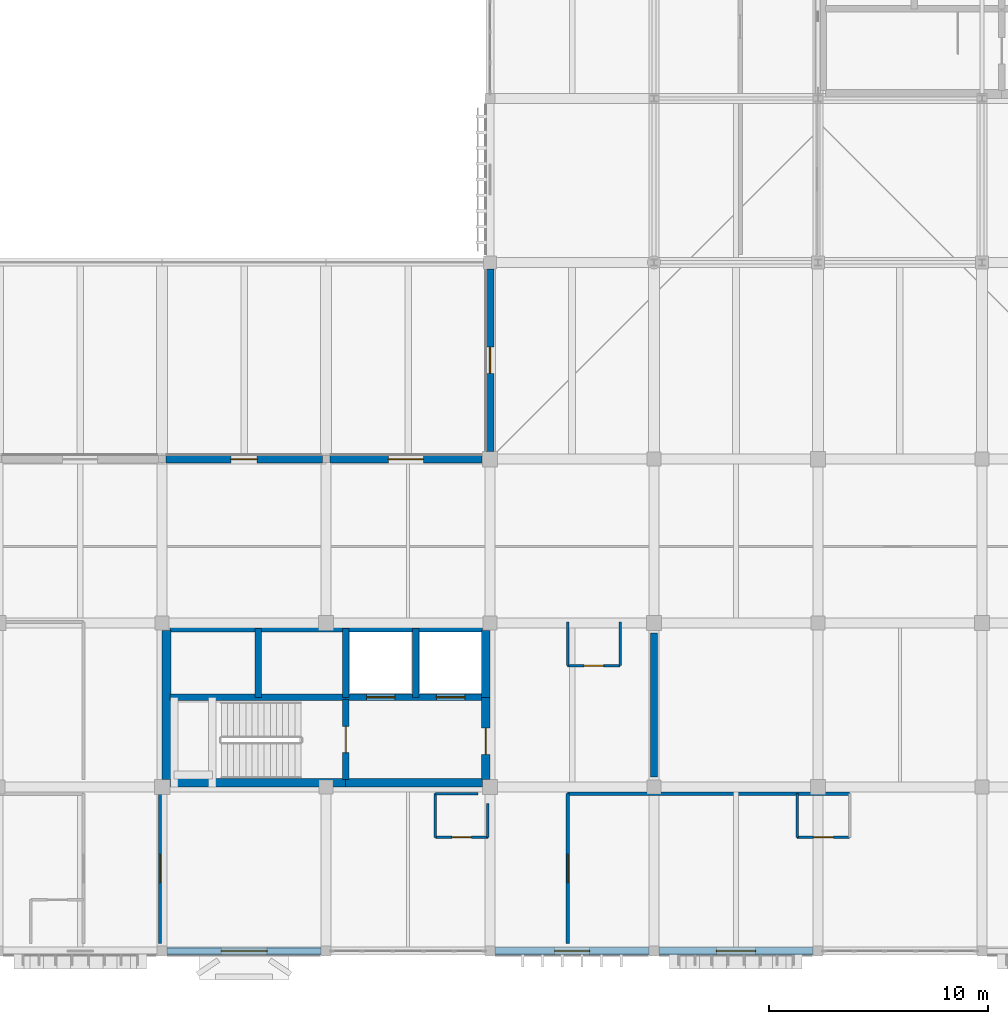
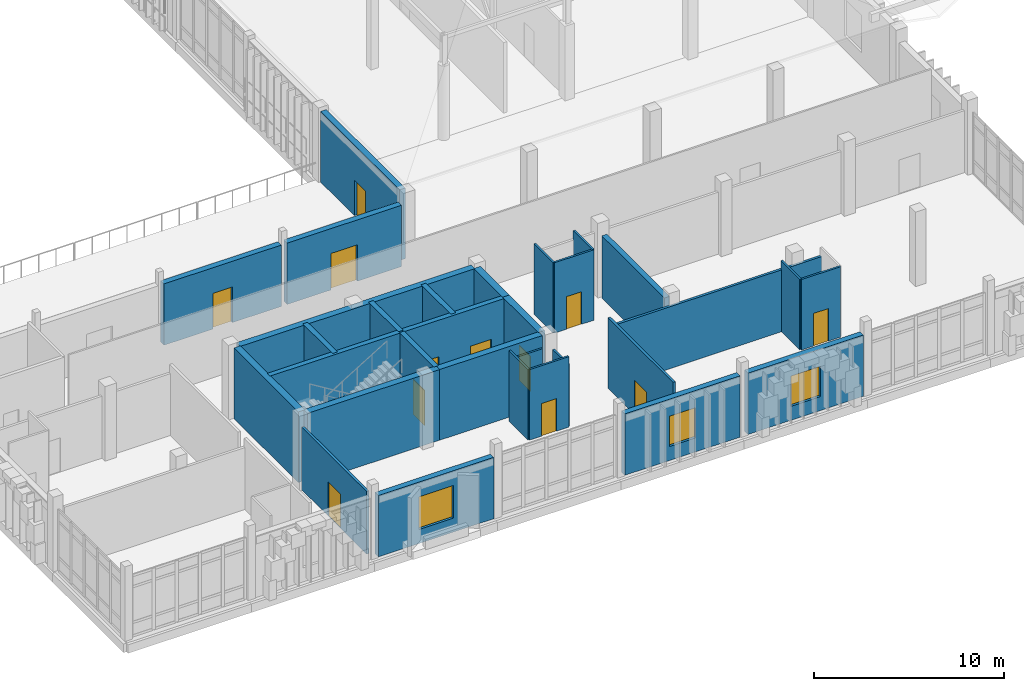
# One storey, part 107 of 131: 31 walls, 12 doors, 3 windows, 15 openings.
"""IFC4 building model written with IfcOpenShell, lengths in metres."""

from ifc_helpers import new_model, si_unit, direction, frame, frame_2d, origin, place, context, subcontext, project, spatial, rectangle, extrude, material, layer, layer_set, type_object, element, fill, save


model = new_model("IFC4")

# Units and contexts
model_context = context("Model", 3, precision=1e-05, world=origin(), true_north=direction((0.0, 1.0)))
body_context = subcontext(model_context, "Body", "Model", "MODEL_VIEW")
ifc_project = project(units=[si_unit("LENGTHUNIT", "METRE"), si_unit("AREAUNIT", "SQUARE_METRE"), si_unit("VOLUMEUNIT", "CUBIC_METRE"), si_unit("PLANEANGLEUNIT", "RADIAN"), si_unit("MASSUNIT", "GRAM", prefix="KILO")], contexts=[model_context])

# Site, building, storey
site_placement = place(None, origin())
site = spatial("IfcSite", under=ifc_project, at=site_placement, CompositionType="ELEMENT")
building_placement = place(site_placement, origin())
building = spatial("IfcBuilding", under=site, at=building_placement, Name="Dalvernix Boulevard General Hospital", CompositionType="ELEMENT")
storey_placement = place(building_placement, frame((0.0, 0.0, 9.300048828125)))
storey = spatial("IfcBuildingStorey", under=building, at=storey_placement, Name="L02", CompositionType="ELEMENT", Elevation=9.300048828125)

# Walls
ifc_material_1 = material(Name="Concrete C40/50", Category="concrete")
ifc_layer_1 = layer(ifc_material_1, 0.39990234375)
ifc_layer_set_1 = layer_set([ifc_layer_1], Name="Concrete C40/50 (WAL-CSW-01)")
wall_type_1 = type_object("IfcWallType", Name="WAL-CSW-01", PredefinedType="SHEAR", material=ifc_layer_set_1)
wall_1_placement = place(storey_placement, frame((127.85009765625, 7.699951171875, 0.0), z_axis=(0.0, 0.0, 1.0), x_axis=(1.0, 0.0, 0.0)))
element("IfcWall", 1, at=wall_1_placement, inside=storey, type_object=wall_type_1, Name="L02 C5 south stairwell wall", PredefinedType="SHEAR", context=body_context, shape_type="SweptSolid", body=[
    extrude(rectangle(XDim=8.0498046875, YDim=0.39990234375, at=frame_2d((4.02490234375, 0.0))), origin(), (0.0, 0.0, 1.0), 4.550048828125),
])
wall_2_placement = place(storey_placement, frame((135.89990234375, 7.699951171875, 0.0), z_axis=(0.0, 0.0, 1.0), x_axis=(1.0, 0.0, 0.0)))
element("IfcWall", 2, at=wall_2_placement, inside=storey, type_object=wall_type_1, Name="L02 C5 south firefighting lobby wall", PredefinedType="SHEAR", context=body_context, shape_type="SweptSolid", body=[
    extrude(rectangle(XDim=6.25, YDim=0.39990234375, at=frame_2d((3.125, 0.0))), origin(), (0.0, 0.0, 1.0), 4.550048828125),
])
wall_3_placement = place(storey_placement, frame((127.85009765625, 14.800048828125, 0.0), z_axis=(0.0, 0.0, 1.0), x_axis=(1.0, 0.0, 0.0)))
element("IfcWall", 3, at=wall_3_placement, inside=storey, type_object=wall_type_1, Name="L02 C5 north shaft core wall", PredefinedType="SHEAR", context=body_context, shape_type="SweptSolid", body=[
    extrude(rectangle(XDim=14.2998046875, YDim=0.39990234375, at=frame_2d((7.14990234375, 0.0))), origin(), (0.0, 0.0, 1.0), 4.550048828125),
])
wall_4_placement = place(storey_placement, frame((127.699951171875, 7.85009765625, 0.0), z_axis=(0.0, 0.0, 1.0), x_axis=(0.0, 1.0, 0.0)))
element("IfcWall", 4, at=wall_4_placement, inside=storey, type_object=wall_type_1, Name="L02 C5 west core wall", PredefinedType="SHEAR", context=body_context, shape_type="SweptSolid", body=[
    extrude(rectangle(XDim=6.7998046875, YDim=0.39990234375, at=frame_2d((3.39990234375, 0.0))), origin(), (0.0, 0.0, 1.0), 4.550048828125),
])

# Wall, opening, door
wall_5_placement = place(storey_placement, frame((142.300048828125, 7.85009765625, 0.0), z_axis=(0.0, 0.0, 1.0), x_axis=(0.0, 1.0, 0.0)))
wall_5 = element("IfcWall", 5, at=wall_5_placement, inside=storey, type_object=wall_type_1, Name="L02 C5 east lobby core wall", PredefinedType="SHEAR", context=body_context, shape_type="SweptSolid", body=[
    extrude(rectangle(XDim=3.75, YDim=0.39990234375, at=frame_2d((1.875, 0.0))), origin(), (0.0, 0.0, 1.0), 4.550048828125),
])
opening_1_placement = place(wall_5_placement, frame((1.14990234375, 0.0, 0.0)))
opening_1 = element("IfcOpeningElement", 6, at=opening_1_placement, cuts=wall_5, Name="Opening FD-02", PredefinedType="OPENING", context=body_context, shape_type="SweptSolid", body=[
    extrude(rectangle(XDim=1.199951171875, YDim=2.25, at=frame_2d((0.60009765625, 1.125))), frame((0.0, 0.2099609375, 0.0), z_axis=(0.0, -1.0, 0.0), x_axis=(1.0, 0.0, 0.0)), (0.0, 0.0, 1.0), 0.419921875),
])
ifc_material_2 = material(Name="Hospital laminate acoustic timber and steel frame", Category="steel")
door_type_1 = type_object("IfcDoorType", Name="DR-FD-02", OperationType="NOTDEFINED", PredefinedType="DOOR", material=ifc_material_2)
door_1_placement = place(opening_1_placement, origin())
door_1 = element("IfcDoor", 7, at=door_1_placement, inside=storey, type_object=door_type_1, Name="L02 C5 east lobby fire door", OperationType="SINGLE_SWING_LEFT", OverallHeight=2.25, OverallWidth=1.199951171875, PredefinedType="DOOR", context=body_context, shape_type="SweptSolid", body=[
    extrude(rectangle(XDim=1.199951171875, YDim=2.25, at=frame_2d((0.60009765625, 1.125))), frame((0.0, 0.02490234375, 0.0), z_axis=(0.0, -1.0, 0.0), x_axis=(1.0, 0.0, 0.0)), (0.0, 0.0, 1.0), 0.050048828125),
])
fill(opening_1, door_1)

# Walls
wall_6_placement = place(storey_placement, frame((142.300048828125, 11.60009765625, 0.0), z_axis=(0.0, 0.0, 1.0), x_axis=(0.0, 1.0, 0.0)))
element("IfcWall", 8, at=wall_6_placement, inside=storey, type_object=wall_type_1, Name="L02 C5 east shaft core wall", PredefinedType="SHEAR", context=body_context, shape_type="SweptSolid", body=[
    extrude(rectangle(XDim=3.0498046875, YDim=0.39990234375, at=frame_2d((1.52490234375, 0.0))), origin(), (0.0, 0.0, 1.0), 4.550048828125),
])
ifc_layer_2 = layer(ifc_material_1, 0.300048828125)
ifc_layer_set_2 = layer_set([ifc_layer_2], Name="Concrete C40/50 (WAL-CSW-02)")
wall_type_2 = type_object("IfcWallType", Name="WAL-CSW-02", PredefinedType="SHEAR", material=ifc_layer_set_2)
wall_7_placement = place(storey_placement, frame((127.85009765625, 11.60009765625, 0.0), z_axis=(0.0, 0.0, 1.0), x_axis=(1.0, 0.0, 0.0)))
element("IfcWall", 9, at=wall_7_placement, inside=storey, type_object=wall_type_2, Name="L02 C5 riser spine wall", PredefinedType="SHEAR", context=body_context, shape_type="SweptSolid", body=[
    extrude(rectangle(XDim=8.0498046875, YDim=0.300048828125, at=frame_2d((4.02490234375, 0.0))), origin(), (0.0, 0.0, 1.0), 4.550048828125),
])

# Wall, openings, doors
wall_8_placement = place(storey_placement, frame((135.89990234375, 11.60009765625, 0.0), z_axis=(0.0, 0.0, 1.0), x_axis=(1.0, 0.0, 0.0)))
wall_8 = element("IfcWall", 10, at=wall_8_placement, inside=storey, type_object=wall_type_2, Name="L02 C5 lift shaft front wall", PredefinedType="SHEAR", context=body_context, shape_type="SweptSolid", body=[
    extrude(rectangle(XDim=6.25, YDim=0.300048828125, at=frame_2d((3.125, 0.0))), origin(), (0.0, 0.0, 1.0), 4.550048828125),
])
opening_2_placement = place(wall_8_placement, frame((0.949951171875, 0.0, 0.0)))
opening_2 = element("IfcOpeningElement", 11, at=opening_2_placement, cuts=wall_8, Name="Opening LD-LF-04-L02", PredefinedType="OPENING", context=body_context, shape_type="SweptSolid", body=[
    extrude(rectangle(XDim=1.300048828125, YDim=2.199951171875, at=frame_2d((0.64990234375, 1.10009765625))), frame((0.0, 0.159912109375, 0.0), z_axis=(0.0, -1.0, 0.0), x_axis=(1.0, 0.0, 0.0)), (0.0, 0.0, 1.0), 0.320068359375),
])
opening_3_placement = place(wall_8_placement, frame((4.14990234375, 0.0, 0.0)))
opening_3 = element("IfcOpeningElement", 12, at=opening_3_placement, cuts=wall_8, Name="Opening LD-LF-05-L02", PredefinedType="OPENING", context=body_context, shape_type="SweptSolid", body=[
    extrude(rectangle(XDim=1.300048828125, YDim=2.199951171875, at=frame_2d((0.64990234375, 1.10009765625))), frame((0.0, 0.159912109375, 0.0), z_axis=(0.0, -1.0, 0.0), x_axis=(1.0, 0.0, 0.0)), (0.0, 0.0, 1.0), 0.320068359375),
])
ifc_material_3 = material(Name="Stainless-clad steel", Category="steel")
door_type_2 = type_object("IfcDoorType", Name="DR-LD-02", OperationType="DOUBLE_DOOR_SLIDING", PredefinedType="DOOR", material=ifc_material_3)
door_2_placement = place(opening_2_placement, origin())
door_2 = element("IfcDoor", 13, at=door_2_placement, inside=storey, type_object=door_type_2, Name="L02 Lift LF-04 sliding landing door", OperationType="DOUBLE_DOOR_SLIDING", OverallHeight=2.199951171875, OverallWidth=1.300048828125, PredefinedType="DOOR", context=body_context, shape_type="SweptSolid", body=[
    extrude(rectangle(XDim=1.300048828125, YDim=2.199951171875, at=frame_2d((0.64990234375, 1.10009765625))), frame((0.0, 0.02490234375, 0.0), z_axis=(0.0, -1.0, 0.0), x_axis=(1.0, 0.0, 0.0)), (0.0, 0.0, 1.0), 0.050048828125),
])
fill(opening_2, door_2)
door_3_placement = place(opening_3_placement, origin())
door_3 = element("IfcDoor", 14, at=door_3_placement, inside=storey, type_object=door_type_2, Name="L02 Lift LF-05 sliding landing door", OperationType="DOUBLE_DOOR_SLIDING", OverallHeight=2.199951171875, OverallWidth=1.300048828125, PredefinedType="DOOR", context=body_context, shape_type="SweptSolid", body=[
    extrude(rectangle(XDim=1.300048828125, YDim=2.199951171875, at=frame_2d((0.64990234375, 1.10009765625))), frame((0.0, 0.02490234375, 0.0), z_axis=(0.0, -1.0, 0.0), x_axis=(1.0, 0.0, 0.0)), (0.0, 0.0, 1.0), 0.050048828125),
])
fill(opening_3, door_3)

# Wall, opening, door
wall_9_placement = place(storey_placement, frame((135.89990234375, 11.5, 0.0), z_axis=(0.0, 0.0, 1.0), x_axis=(0.0, -1.0, 0.0)))
wall_9 = element("IfcWall", 15, at=wall_9_placement, inside=storey, type_object=wall_type_2, Name="L02 C5 stairwell fire wall", PredefinedType="SHEAR", context=body_context, shape_type="SweptSolid", body=[
    extrude(rectangle(XDim=3.64990234375, YDim=0.300048828125, at=frame_2d((1.824951171875, 0.0))), origin(), (0.0, 0.0, 1.0), 4.550048828125),
])
opening_4_placement = place(wall_9_placement, frame((1.219970703125, 0.0, 0.0)))
opening_4 = element("IfcOpeningElement", 16, at=opening_4_placement, cuts=wall_9, Name="Opening FD-02", PredefinedType="OPENING", context=body_context, shape_type="SweptSolid", body=[
    extrude(rectangle(XDim=1.199951171875, YDim=2.25, at=frame_2d((0.60009765625, 1.125))), frame((0.0, 0.159912109375, 0.0), z_axis=(0.0, -1.0, 0.0), x_axis=(1.0, 0.0, 0.0)), (0.0, 0.0, 1.0), 0.320068359375),
])
door_4_placement = place(opening_4_placement, origin())
door_4 = element("IfcDoor", 17, at=door_4_placement, inside=storey, type_object=door_type_1, Name="L02 Stair ST-05 fire door", OperationType="SINGLE_SWING_RIGHT", OverallHeight=2.25, OverallWidth=1.199951171875, PredefinedType="DOOR", context=body_context, shape_type="SweptSolid", body=[
    extrude(rectangle(XDim=1.199951171875, YDim=2.25, at=frame_2d((0.60009765625, 1.125))), frame((0.0, 0.02490234375, 0.0), z_axis=(0.0, -1.0, 0.0), x_axis=(1.0, 0.0, 0.0)), (0.0, 0.0, 1.0), 0.050048828125),
])
fill(opening_4, door_4)

# Walls
for number, where, z_axis, x_axis, name in (
    (18, (131.89990234375, 11.60009765625, 0.0), (0.0, 0.0, 1.0), (0.0, 1.0, 0.0), "L02 C5 shaft divider R1"),
    (19, (135.89990234375, 11.60009765625, 0.0), (0.0, 0.0, 1.0), (0.0, 1.0, 0.0), "L02 C5 shaft divider R2"),
    (20, (139.10009765625, 11.60009765625, 0.0), (0.0, 0.0, 1.0), (0.0, 1.0, 0.0), "L02 C5 shaft divider L1"),
):
    element("IfcWall", number, at=place(storey_placement, frame(where, z_axis=z_axis, x_axis=x_axis)), inside=storey, type_object=wall_type_2, Name=name, PredefinedType="SHEAR", context=body_context, shape_type="SweptSolid", body=[
        extrude(rectangle(XDim=3.14990234375, YDim=0.300048828125, at=frame_2d((1.574951171875, 0.0))), origin(), (0.0, 0.0, 1.0), 4.550048828125),
    ])
ifc_layer_3 = layer(ifc_material_1, 0.320068359375)
ifc_layer_set_3 = layer_set([ifc_layer_3], Name="Concrete C40/50 (WAL-ESW-02)")
wall_type_3 = type_object("IfcWallType", Name="WAL-ESW-02", PredefinedType="SHEAR", material=ifc_layer_set_3)
wall_10_placement = place(storey_placement, frame((150.0, 7.949951171875, 0.0), z_axis=(0.0, 0.0, 1.0), x_axis=(0.0, 1.0, 0.0)))
element("IfcWall", 21, at=wall_10_placement, inside=storey, type_object=wall_type_3, Name="L02 reinforced concrete shear wall 3", PredefinedType="SHEAR", context=body_context, shape_type="SweptSolid", body=[
    extrude(rectangle(XDim=6.60009765625, YDim=0.320068359375, at=frame_2d((3.300048828125, 0.0))), origin(), (0.0, 0.0, 1.0), 4.0),
])

# Wall, opening, window
ifc_material_4 = material(Name="Pressed Catalan clay brick and insulated concrete cavity wall C35/45", Category="masonry")
ifc_layer_4 = layer(ifc_material_4, 0.35009765625)
ifc_layer_set_4 = layer_set([ifc_layer_4], Name="Pressed Catalan clay brick and insulated concrete cavity wall C35/45 (WAL-EW-01)")
wall_type_4 = type_object("IfcWallType", Name="WAL-EW-01", PredefinedType="STANDARD", material=ifc_layer_set_4)
wall_11_placement = place(storey_placement, frame((134.764892578125, 0.0, 0.0), z_axis=(0.0, 0.0, 1.0), x_axis=(-1.0, 0.0, 0.0)))
wall_11 = element("IfcWall", 22, at=wall_11_placement, inside=storey, type_object=wall_type_4, Name="L02 Catalan brick external wall S 17-0", PredefinedType="STANDARD", context=body_context, shape_type="SweptSolid", body=[
    extrude(rectangle(XDim=7.02978515625, YDim=0.35009765625, at=frame_2d((3.514892578125, 0.0))), origin(), (0.0, 0.0, 1.0), 3.949951171875),
])
opening_5_placement = place(wall_11_placement, frame((2.465087890625, 0.0, 0.89990234375)))
opening_5 = element("IfcOpeningElement", 23, at=opening_5_placement, cuts=wall_11, Name="Opening WN-08", PredefinedType="OPENING", context=body_context, shape_type="SweptSolid", body=[
    extrude(rectangle(XDim=2.10009765625, YDim=2.10009765625, at=frame_2d((1.050048828125, 1.050048828125))), frame((0.0, 0.18505859375, 0.0), z_axis=(0.0, -1.0, 0.0), x_axis=(1.0, 0.0, 0.0)), (0.0, 0.0, 1.0), 0.3701171875),
])
ifc_material_5 = material(Name="Thermally broken aluminium frame with solar-control double glazing", Category="aluminium")
window_type_1 = type_object("IfcWindowType", Name="WIN-WN-08", PartitioningType="SINGLE_PANEL", PredefinedType="WINDOW", material=ifc_material_5)
window_1_placement = place(opening_5_placement, origin())
window_1 = element("IfcWindow", 24, at=window_1_placement, inside=storey, type_object=window_type_1, Name="L02 clinical window WN-08 S 17-0", OverallHeight=2.10009765625, OverallWidth=2.10009765625, PartitioningType="SINGLE_PANEL", PredefinedType="WINDOW", context=body_context, shape_type="SweptSolid", body=[
    extrude(rectangle(XDim=2.10009765625, YDim=2.10009765625, at=frame_2d((1.050048828125, 1.050048828125))), frame((0.0, 0.030029296875, 0.0), z_axis=(0.0, -1.0, 0.0), x_axis=(1.0, 0.0, 0.0)), (0.0, 0.0, 1.0), 0.06005859375),
])
fill(opening_5, window_1)

# Wall, opening, door
wall_12_placement = place(storey_placement, frame((127.669921875, 22.5, 0.0), z_axis=(0.0, 0.0, 1.0), x_axis=(1.0, 0.0, 0.0)))
wall_12 = element("IfcWall", 25, at=wall_12_placement, inside=storey, type_object=wall_type_4, Name="L02 Catalan brick external wall N 17-3", PredefinedType="STANDARD", context=body_context, shape_type="SweptSolid", body=[
    extrude(rectangle(XDim=7.16015625, YDim=0.35009765625, at=frame_2d((3.580078125, 0.0))), origin(), (0.0, 0.0, 1.0), 3.949951171875),
])
opening_6_placement = place(wall_12_placement, frame((2.97998046875, 0.0, 0.0)))
opening_6 = element("IfcOpeningElement", 26, at=opening_6_placement, cuts=wall_12, Name="Opening TD-12", PredefinedType="OPENING", context=body_context, shape_type="SweptSolid", body=[
    extrude(rectangle(XDim=1.199951171875, YDim=2.300048828125, at=frame_2d((0.60009765625, 1.14990234375))), frame((0.0, 0.18505859375, 0.0), z_axis=(0.0, -1.0, 0.0), x_axis=(1.0, 0.0, 0.0)), (0.0, 0.0, 1.0), 0.3701171875),
])
ifc_material_6 = material(Name="Powder-coated aluminium and laminated safety glass", Category="aluminium")
door_type_3 = type_object("IfcDoorType", Name="DR-TD-12", OperationType="NOTDEFINED", PredefinedType="DOOR", material=ifc_material_6)
door_5_placement = place(opening_6_placement, origin())
door_5 = element("IfcDoor", 27, at=door_5_placement, inside=storey, type_object=door_type_3, Name="L02 ward terrace access door N 17-3", OperationType="SINGLE_SWING_RIGHT", OverallHeight=2.300048828125, OverallWidth=1.199951171875, PredefinedType="DOOR", context=body_context, shape_type="SweptSolid", body=[
    extrude(rectangle(XDim=1.199951171875, YDim=2.300048828125, at=frame_2d((0.60009765625, 1.14990234375))), frame((0.0, 0.02490234375, 0.0), z_axis=(0.0, -1.0, 0.0), x_axis=(1.0, 0.0, 0.0)), (0.0, 0.0, 1.0), 0.050048828125),
])
fill(opening_6, door_5)

wall_13_placement = place(storey_placement, frame((135.169921875, 22.5, 0.0), z_axis=(0.0, 0.0, 1.0), x_axis=(1.0, 0.0, 0.0)))
wall_13 = element("IfcWall", 28, at=wall_13_placement, inside=storey, type_object=wall_type_4, Name="L02 Catalan brick external wall N 18-3", PredefinedType="STANDARD", context=body_context, shape_type="SweptSolid", body=[
    extrude(rectangle(XDim=6.969970703125, YDim=0.35009765625, at=frame_2d((3.48486328125, 0.0))), origin(), (0.0, 0.0, 1.0), 3.949951171875),
])
opening_7_placement = place(wall_13_placement, frame((2.68505859375, 0.0, 0.0)))
opening_7 = element("IfcOpeningElement", 29, at=opening_7_placement, cuts=wall_13, Name="Opening TD-16", PredefinedType="OPENING", context=body_context, shape_type="SweptSolid", body=[
    extrude(rectangle(XDim=1.60009765625, YDim=2.35009765625, at=frame_2d((0.800048828125, 1.175048828125))), frame((0.0, 0.18505859375, 0.0), z_axis=(0.0, -1.0, 0.0), x_axis=(1.0, 0.0, 0.0)), (0.0, 0.0, 1.0), 0.3701171875),
])
door_type_4 = type_object("IfcDoorType", Name="DR-TD-16", OperationType="DOUBLE_DOOR_SINGLE_SWING", PredefinedType="DOOR", material=ifc_material_6)
door_6_placement = place(opening_7_placement, origin())
door_6 = element("IfcDoor", 30, at=door_6_placement, inside=storey, type_object=door_type_4, Name="L02 ward terrace access door N 18-3", OperationType="DOUBLE_DOOR_SINGLE_SWING", OverallHeight=2.35009765625, OverallWidth=1.60009765625, PredefinedType="DOOR", context=body_context, shape_type="SweptSolid", body=[
    extrude(rectangle(XDim=1.60009765625, YDim=2.35009765625, at=frame_2d((0.800048828125, 1.175048828125))), frame((0.0, 0.02490234375, 0.0), z_axis=(0.0, -1.0, 0.0), x_axis=(1.0, 0.0, 0.0)), (0.0, 0.0, 1.0), 0.050048828125),
])
fill(opening_7, door_6)

# Wall, opening, window
wall_14_placement = place(storey_placement, frame((149.764892578125, 0.0, 0.0), z_axis=(0.0, 0.0, 1.0), x_axis=(-1.0, 0.0, 0.0)))
wall_14 = element("IfcWall", 31, at=wall_14_placement, inside=storey, type_object=wall_type_4, Name="L02 Catalan brick external wall S 19-0", PredefinedType="STANDARD", context=body_context, shape_type="SweptSolid", body=[
    extrude(rectangle(XDim=7.02978515625, YDim=0.35009765625, at=frame_2d((3.514892578125, 0.0))), origin(), (0.0, 0.0, 1.0), 3.949951171875),
])
opening_8_placement = place(wall_14_placement, frame((2.715087890625, 0.0, 0.89990234375)))
opening_8 = element("IfcOpeningElement", 32, at=opening_8_placement, cuts=wall_14, Name="Opening WN-10", PredefinedType="OPENING", context=body_context, shape_type="SweptSolid", body=[
    extrude(rectangle(XDim=1.60009765625, YDim=1.949951171875, at=frame_2d((0.800048828125, 0.97509765625))), frame((0.0, 0.18505859375, 0.0), z_axis=(0.0, -1.0, 0.0), x_axis=(1.0, 0.0, 0.0)), (0.0, 0.0, 1.0), 0.3701171875),
])
window_type_2 = type_object("IfcWindowType", Name="WIN-WN-10", PartitioningType="SINGLE_PANEL", PredefinedType="WINDOW", material=ifc_material_5)
window_2_placement = place(opening_8_placement, origin())
window_2 = element("IfcWindow", 33, at=window_2_placement, inside=storey, type_object=window_type_2, Name="L02 clinical window WN-10 S 19-0", OverallHeight=1.949951171875, OverallWidth=1.60009765625, PartitioningType="SINGLE_PANEL", PredefinedType="WINDOW", context=body_context, shape_type="SweptSolid", body=[
    extrude(rectangle(XDim=1.60009765625, YDim=1.949951171875, at=frame_2d((0.800048828125, 0.97509765625))), frame((0.0, 0.030029296875, 0.0), z_axis=(0.0, -1.0, 0.0), x_axis=(1.0, 0.0, 0.0)), (0.0, 0.0, 1.0), 0.06005859375),
])
fill(opening_8, window_2)

# Wall, opening, door
wall_15_placement = place(storey_placement, frame((142.5, 22.860107421875, 0.0), z_axis=(0.0, 0.0, 1.0), x_axis=(0.0, 1.0, 0.0)))
wall_15 = element("IfcWall", 34, at=wall_15_placement, inside=storey, type_object=wall_type_4, Name="L02 Catalan brick external wall W 19-3", PredefinedType="STANDARD", context=body_context, shape_type="SweptSolid", body=[
    extrude(rectangle(XDim=8.329833984375, YDim=0.35009765625, at=frame_2d((4.1650390625, 0.0))), origin(), (0.0, 0.0, 1.0), 4.550048828125),
])
opening_9_placement = place(wall_15_placement, frame((3.56494140625, 0.0, 0.0)))
opening_9 = element("IfcOpeningElement", 35, at=opening_9_placement, cuts=wall_15, Name="Opening TD-12", PredefinedType="OPENING", context=body_context, shape_type="SweptSolid", body=[
    extrude(rectangle(XDim=1.199951171875, YDim=2.300048828125, at=frame_2d((0.60009765625, 1.14990234375))), frame((0.0, 0.18505859375, 0.0), z_axis=(0.0, -1.0, 0.0), x_axis=(1.0, 0.0, 0.0)), (0.0, 0.0, 1.0), 0.3701171875),
])
door_7_placement = place(opening_9_placement, origin())
door_7 = element("IfcDoor", 36, at=door_7_placement, inside=storey, type_object=door_type_3, Name="L02 ward terrace access door W 19-3", OperationType="SINGLE_SWING_RIGHT", OverallHeight=2.300048828125, OverallWidth=1.199951171875, PredefinedType="DOOR", context=body_context, shape_type="SweptSolid", body=[
    extrude(rectangle(XDim=1.199951171875, YDim=2.300048828125, at=frame_2d((0.60009765625, 1.14990234375))), frame((0.0, 0.02490234375, 0.0), z_axis=(0.0, -1.0, 0.0), x_axis=(1.0, 0.0, 0.0)), (0.0, 0.0, 1.0), 0.050048828125),
])
fill(opening_9, door_7)

# Wall, opening, window
wall_16_placement = place(storey_placement, frame((157.264892578125, 0.0, 0.0), z_axis=(0.0, 0.0, 1.0), x_axis=(-1.0, 0.0, 0.0)))
wall_16 = element("IfcWall", 37, at=wall_16_placement, inside=storey, type_object=wall_type_4, Name="L02 Catalan brick external wall S 20-0", PredefinedType="STANDARD", context=body_context, shape_type="SweptSolid", body=[
    extrude(rectangle(XDim=7.02978515625, YDim=0.35009765625, at=frame_2d((3.514892578125, 0.0))), origin(), (0.0, 0.0, 1.0), 3.949951171875),
])
opening_10_placement = place(wall_16_placement, frame((2.614990234375, 0.0, 0.89990234375)))
opening_10 = element("IfcOpeningElement", 38, at=opening_10_placement, cuts=wall_16, Name="Opening WN-11", PredefinedType="OPENING", context=body_context, shape_type="SweptSolid", body=[
    extrude(rectangle(XDim=1.800048828125, YDim=1.949951171875, at=frame_2d((0.89990234375, 0.97509765625))), frame((0.0, 0.18505859375, 0.0), z_axis=(0.0, -1.0, 0.0), x_axis=(1.0, 0.0, 0.0)), (0.0, 0.0, 1.0), 0.3701171875),
])
window_type_3 = type_object("IfcWindowType", Name="WIN-WN-11", PartitioningType="SINGLE_PANEL", PredefinedType="WINDOW", material=ifc_material_5)
window_3_placement = place(opening_10_placement, origin())
window_3 = element("IfcWindow", 39, at=window_3_placement, inside=storey, type_object=window_type_3, Name="L02 clinical window WN-11 S 20-0", OverallHeight=1.949951171875, OverallWidth=1.800048828125, PartitioningType="SINGLE_PANEL", PredefinedType="WINDOW", context=body_context, shape_type="SweptSolid", body=[
    extrude(rectangle(XDim=1.800048828125, YDim=1.949951171875, at=frame_2d((0.89990234375, 0.97509765625))), frame((0.0, 0.030029296875, 0.0), z_axis=(0.0, -1.0, 0.0), x_axis=(1.0, 0.0, 0.0)), (0.0, 0.0, 1.0), 0.06005859375),
])
fill(opening_10, window_3)

# Wall, opening, door
ifc_material_7 = material(Name="Acoustic double-stud gypsum inpatient partition")
ifc_layer_5 = layer(ifc_material_7, 0.14990234375)
ifc_layer_set_5 = layer_set([ifc_layer_5], Name="Acoustic double-stud gypsum inpatient partition (WAL-IW-04)")
wall_type_5 = type_object("IfcWallType", Name="WAL-IW-04", PredefinedType="PARTITIONING", material=ifc_layer_set_5)
wall_17_placement = place(storey_placement, frame((127.39990234375, 7.199951171875, 0.0), z_axis=(0.0, 0.0, 1.0), x_axis=(0.0, -1.0, 0.0)))
wall_17 = element("IfcWall", 40, at=wall_17_placement, inside=storey, type_object=wall_type_5, Name="L02 Maternity Delivery Suite L02-02 corridor wall", PredefinedType="PARTITIONING", context=body_context, shape_type="SweptSolid", body=[
    extrude(rectangle(XDim=6.849853515625, YDim=0.14990234375, at=frame_2d((3.4248046875, 0.0))), origin(), (0.0, 0.0, 1.0), 4.034912109375),
])
opening_11_placement = place(wall_17_placement, frame((2.77490234375, 0.0, 0.0)))
opening_11 = element("IfcOpeningElement", 41, at=opening_11_placement, cuts=wall_17, Name="Opening ID-03", PredefinedType="OPENING", context=body_context, shape_type="SweptSolid", body=[
    extrude(rectangle(XDim=1.300048828125, YDim=2.199951171875, at=frame_2d((0.64990234375, 1.10009765625))), frame((0.0, 0.0849609375, 0.0), z_axis=(0.0, -1.0, 0.0), x_axis=(1.0, 0.0, 0.0)), (0.0, 0.0, 1.0), 0.169921875),
])
door_type_5 = type_object("IfcDoorType", Name="DR-ID-03", OperationType="NOTDEFINED", PredefinedType="DOOR", material=ifc_material_2)
door_8_placement = place(opening_11_placement, origin())
door_8 = element("IfcDoor", 42, at=door_8_placement, inside=storey, type_object=door_type_5, Name="L02 Maternity Delivery Suite L02-02 door", OperationType="SINGLE_SWING_RIGHT", OverallHeight=2.199951171875, OverallWidth=1.300048828125, PredefinedType="DOOR", context=body_context, shape_type="SweptSolid", body=[
    extrude(rectangle(XDim=1.300048828125, YDim=2.199951171875, at=frame_2d((0.64990234375, 1.10009765625))), frame((0.0, 0.02490234375, 0.0), z_axis=(0.0, -1.0, 0.0), x_axis=(1.0, 0.0, 0.0)), (0.0, 0.0, 1.0), 0.050048828125),
])
fill(opening_11, door_8)

wall_18_placement = place(storey_placement, frame((146.050048828125, 7.199951171875, 0.0), z_axis=(0.0, 0.0, 1.0), x_axis=(0.0, -1.0, 0.0)))
wall_18 = element("IfcWall", 43, at=wall_18_placement, inside=storey, type_object=wall_type_5, Name="L02 Maternity Delivery Suite L02-03 corridor wall", PredefinedType="PARTITIONING", context=body_context, shape_type="SweptSolid", body=[
    extrude(rectangle(XDim=6.849853515625, YDim=0.14990234375, at=frame_2d((3.4248046875, 0.0))), origin(), (0.0, 0.0, 1.0), 4.534912109375),
])
opening_12_placement = place(wall_18_placement, frame((2.77490234375, 0.0, 0.0)))
opening_12 = element("IfcOpeningElement", 44, at=opening_12_placement, cuts=wall_18, Name="Opening ID-03", PredefinedType="OPENING", context=body_context, shape_type="SweptSolid", body=[
    extrude(rectangle(XDim=1.300048828125, YDim=2.199951171875, at=frame_2d((0.64990234375, 1.10009765625))), frame((0.0, 0.0849609375, 0.0), z_axis=(0.0, -1.0, 0.0), x_axis=(1.0, 0.0, 0.0)), (0.0, 0.0, 1.0), 0.169921875),
])
door_9_placement = place(opening_12_placement, origin())
door_9 = element("IfcDoor", 45, at=door_9_placement, inside=storey, type_object=door_type_5, Name="L02 Maternity Delivery Suite L02-03 door", OperationType="SINGLE_SWING_RIGHT", OverallHeight=2.199951171875, OverallWidth=1.300048828125, PredefinedType="DOOR", context=body_context, shape_type="SweptSolid", body=[
    extrude(rectangle(XDim=1.300048828125, YDim=2.199951171875, at=frame_2d((0.64990234375, 1.10009765625))), frame((0.0, 0.02490234375, 0.0), z_axis=(0.0, -1.0, 0.0), x_axis=(1.0, 0.0, 0.0)), (0.0, 0.0, 1.0), 0.050048828125),
])
fill(opening_12, door_9)

# Wall
wall_19_placement = place(storey_placement, frame((146.050048828125, 7.199951171875, 0.0), z_axis=(0.0, 0.0, 1.0), x_axis=(1.0, 0.0, 0.0)))
element("IfcWall", 46, at=wall_19_placement, inside=storey, type_object=wall_type_5, Name="L02 Maternity Delivery Suite L02-03 partition", PredefinedType="PARTITIONING", context=body_context, shape_type="SweptSolid", body=[
    extrude(rectangle(XDim=12.89990234375, YDim=0.14990234375, at=frame_2d((6.449951171875, 0.0))), origin(), (0.0, 0.0, 1.0), 3.98486328125),
])

# Wall, opening, door
ifc_material_8 = material(Name="Moisture-resistant en-suite bathroom partition")
ifc_layer_6 = layer(ifc_material_8, 0.1201171875)
ifc_layer_set_6 = layer_set([ifc_layer_6], Name="Moisture-resistant en-suite bathroom partition (WAL-IW-05)")
wall_type_6 = type_object("IfcWallType", Name="WAL-IW-05", PredefinedType="PARTITIONING", material=ifc_layer_set_6)
wall_20_placement = place(storey_placement, frame((140.0, 5.199951171875, 0.0), z_axis=(0.0, 0.0, 1.0), x_axis=(1.0, 0.0, 0.0)))
wall_20 = element("IfcWall", 47, at=wall_20_placement, inside=storey, type_object=wall_type_6, Name="L02 en-suite bathroom door wall", PredefinedType="PARTITIONING", context=body_context, shape_type="SweptSolid", body=[
    extrude(rectangle(XDim=2.39990234375, YDim=0.1201171875, at=frame_2d((1.199951171875, 0.0))), origin(), (0.0, 0.0, 1.0), 4.534912109375),
])
opening_13_placement = place(wall_20_placement, frame((0.75, 0.0, 0.0)))
opening_13 = element("IfcOpeningElement", 48, at=opening_13_placement, cuts=wall_20, Name="Opening ID-05", PredefinedType="OPENING", context=body_context, shape_type="SweptSolid", body=[
    extrude(rectangle(XDim=0.89990234375, YDim=2.10009765625, at=frame_2d((0.449951171875, 1.050048828125))), frame((0.0, 0.070068359375, 0.0), z_axis=(0.0, -1.0, 0.0), x_axis=(1.0, 0.0, 0.0)), (0.0, 0.0, 1.0), 0.14013671875),
])
door_type_6 = type_object("IfcDoorType", Name="DR-ID-05", OperationType="NOTDEFINED", PredefinedType="DOOR", material=ifc_material_2)
door_10_placement = place(opening_13_placement, origin())
door_10 = element("IfcDoor", 49, at=door_10_placement, inside=storey, type_object=door_type_6, Name="L02 L02-MAT-S2 en-suite bathroom door", OperationType="SINGLE_SWING_LEFT", OverallHeight=2.10009765625, OverallWidth=0.89990234375, PredefinedType="DOOR", context=body_context, shape_type="SweptSolid", body=[
    extrude(rectangle(XDim=0.89990234375, YDim=2.10009765625, at=frame_2d((0.449951171875, 1.050048828125))), frame((0.0, 0.02490234375, 0.0), z_axis=(0.0, -1.0, 0.0), x_axis=(1.0, 0.0, 0.0)), (0.0, 0.0, 1.0), 0.050048828125),
])
fill(opening_13, door_10)

# Wall
wall_21_placement = place(storey_placement, frame((140.0, 5.199951171875, 0.0), z_axis=(0.0, 0.0, 1.0), x_axis=(0.0, 1.0, 0.0)))
element("IfcWall", 50, at=wall_21_placement, inside=storey, type_object=wall_type_6, Name="L02 en-suite bathroom side wall", PredefinedType="PARTITIONING", context=body_context, shape_type="SweptSolid", body=[
    extrude(rectangle(XDim=2.0, YDim=0.1201171875, at=frame_2d((1.0, 0.0))), origin(), (0.0, 0.0, 1.0), 4.534912109375),
])

# Wall, opening, door
wall_22_placement = place(storey_placement, frame((156.550048828125, 5.199951171875, 0.0), z_axis=(0.0, 0.0, 1.0), x_axis=(1.0, 0.0, 0.0)))
wall_22 = element("IfcWall", 51, at=wall_22_placement, inside=storey, type_object=wall_type_6, Name="L02 en-suite bathroom door wall", PredefinedType="PARTITIONING", context=body_context, shape_type="SweptSolid", body=[
    extrude(rectangle(XDim=2.39990234375, YDim=0.1201171875, at=frame_2d((1.199951171875, 0.0))), origin(), (0.0, 0.0, 1.0), 4.534912109375),
])
opening_14_placement = place(wall_22_placement, frame((0.75, 0.0, 0.0)))
opening_14 = element("IfcOpeningElement", 52, at=opening_14_placement, cuts=wall_22, Name="Opening ID-05", PredefinedType="OPENING", context=body_context, shape_type="SweptSolid", body=[
    extrude(rectangle(XDim=0.89990234375, YDim=2.10009765625, at=frame_2d((0.449951171875, 1.050048828125))), frame((0.0, 0.070068359375, 0.0), z_axis=(0.0, -1.0, 0.0), x_axis=(1.0, 0.0, 0.0)), (0.0, 0.0, 1.0), 0.14013671875),
])
door_11_placement = place(opening_14_placement, origin())
door_11 = element("IfcDoor", 53, at=door_11_placement, inside=storey, type_object=door_type_6, Name="L02 L02-MAT-S3 en-suite bathroom door", OperationType="SINGLE_SWING_LEFT", OverallHeight=2.10009765625, OverallWidth=0.89990234375, PredefinedType="DOOR", context=body_context, shape_type="SweptSolid", body=[
    extrude(rectangle(XDim=0.89990234375, YDim=2.10009765625, at=frame_2d((0.449951171875, 1.050048828125))), frame((0.0, 0.02490234375, 0.0), z_axis=(0.0, -1.0, 0.0), x_axis=(1.0, 0.0, 0.0)), (0.0, 0.0, 1.0), 0.050048828125),
])
fill(opening_14, door_11)

# Wall
wall_23_placement = place(storey_placement, frame((156.550048828125, 5.199951171875, 0.0), z_axis=(0.0, 0.0, 1.0), x_axis=(0.0, 1.0, 0.0)))
element("IfcWall", 54, at=wall_23_placement, inside=storey, type_object=wall_type_6, Name="L02 en-suite bathroom side wall", PredefinedType="PARTITIONING", context=body_context, shape_type="SweptSolid", body=[
    extrude(rectangle(XDim=2.0, YDim=0.1201171875, at=frame_2d((1.0, 0.0))), origin(), (0.0, 0.0, 1.0), 4.534912109375),
])

# Wall, opening, door
wall_24_placement = place(storey_placement, frame((146.050048828125, 13.050048828125, 0.0), z_axis=(0.0, 0.0, 1.0), x_axis=(1.0, 0.0, 0.0)))
wall_24 = element("IfcWall", 55, at=wall_24_placement, inside=storey, type_object=wall_type_6, Name="L02 en-suite bathroom door wall", PredefinedType="PARTITIONING", context=body_context, shape_type="SweptSolid", body=[
    extrude(rectangle(XDim=2.39990234375, YDim=0.1201171875, at=frame_2d((1.199951171875, 0.0))), origin(), (0.0, 0.0, 1.0), 4.534912109375),
])
opening_15_placement = place(wall_24_placement, frame((0.75, 0.0, 0.0)))
opening_15 = element("IfcOpeningElement", 56, at=opening_15_placement, cuts=wall_24, Name="Opening ID-05", PredefinedType="OPENING", context=body_context, shape_type="SweptSolid", body=[
    extrude(rectangle(XDim=0.89990234375, YDim=2.10009765625, at=frame_2d((0.449951171875, 1.050048828125))), frame((0.0, 0.070068359375, 0.0), z_axis=(0.0, -1.0, 0.0), x_axis=(1.0, 0.0, 0.0)), (0.0, 0.0, 1.0), 0.14013671875),
])
door_12_placement = place(opening_15_placement, origin())
door_12 = element("IfcDoor", 57, at=door_12_placement, inside=storey, type_object=door_type_6, Name="L02 L02-MAT-S4 en-suite bathroom door", OperationType="SINGLE_SWING_LEFT", OverallHeight=2.10009765625, OverallWidth=0.89990234375, PredefinedType="DOOR", context=body_context, shape_type="SweptSolid", body=[
    extrude(rectangle(XDim=0.89990234375, YDim=2.10009765625, at=frame_2d((0.449951171875, 1.050048828125))), frame((0.0, 0.02490234375, 0.0), z_axis=(0.0, -1.0, 0.0), x_axis=(1.0, 0.0, 0.0)), (0.0, 0.0, 1.0), 0.050048828125),
])
fill(opening_15, door_12)

# Walls
wall_25_placement = place(storey_placement, frame((148.449951171875, 13.050048828125, 0.0), z_axis=(0.0, 0.0, 1.0), x_axis=(0.0, 1.0, 0.0)))
element("IfcWall", 58, at=wall_25_placement, inside=storey, type_object=wall_type_6, Name="L02 en-suite bathroom side wall", PredefinedType="PARTITIONING", context=body_context, shape_type="SweptSolid", body=[
    extrude(rectangle(XDim=2.0, YDim=0.1201171875, at=frame_2d((1.0, 0.0))), origin(), (0.0, 0.0, 1.0), 4.534912109375),
])
wall_26_placement = place(storey_placement, frame((140.0, 7.199951171875, 0.0), z_axis=(0.0, 0.0, 1.0), x_axis=(1.0, 0.0, 0.0)))
element("IfcWall", 59, at=wall_26_placement, inside=storey, type_object=wall_type_6, Name="L02 En-suite Bathroom MAT-S2 enclosure wall N", PredefinedType="PARTITIONING", context=body_context, shape_type="SweptSolid", body=[
    extrude(rectangle(XDim=1.949951171875, YDim=0.1201171875, at=frame_2d((0.97509765625, 0.0))), origin(), (0.0, 0.0, 1.0), 3.98486328125),
])
wall_27_placement = place(storey_placement, frame((142.39990234375, 5.199951171875, 0.0), z_axis=(0.0, 0.0, 1.0), x_axis=(0.0, 1.0, 0.0)))
element("IfcWall", 60, at=wall_27_placement, inside=storey, type_object=wall_type_6, Name="L02 En-suite Bathroom MAT-S2 enclosure wall E", PredefinedType="PARTITIONING", context=body_context, shape_type="SweptSolid", body=[
    extrude(rectangle(XDim=1.550048828125, YDim=0.1201171875, at=frame_2d((0.77490234375, 0.0))), origin(), (0.0, 0.0, 1.0), 4.034912109375),
])
wall_28_placement = place(storey_placement, frame((146.050048828125, 13.050048828125, 0.0), z_axis=(0.0, 0.0, 1.0), x_axis=(0.0, 1.0, 0.0)))
element("IfcWall", 61, at=wall_28_placement, inside=storey, type_object=wall_type_6, Name="L02 En-suite Bathroom MAT-S4 enclosure wall W", PredefinedType="PARTITIONING", context=body_context, shape_type="SweptSolid", body=[
    extrude(rectangle(XDim=2.0, YDim=0.1201171875, at=frame_2d((1.0, 0.0))), origin(), (0.0, 0.0, 1.0), 4.534912109375),
])

save(model, "model.ifc")
